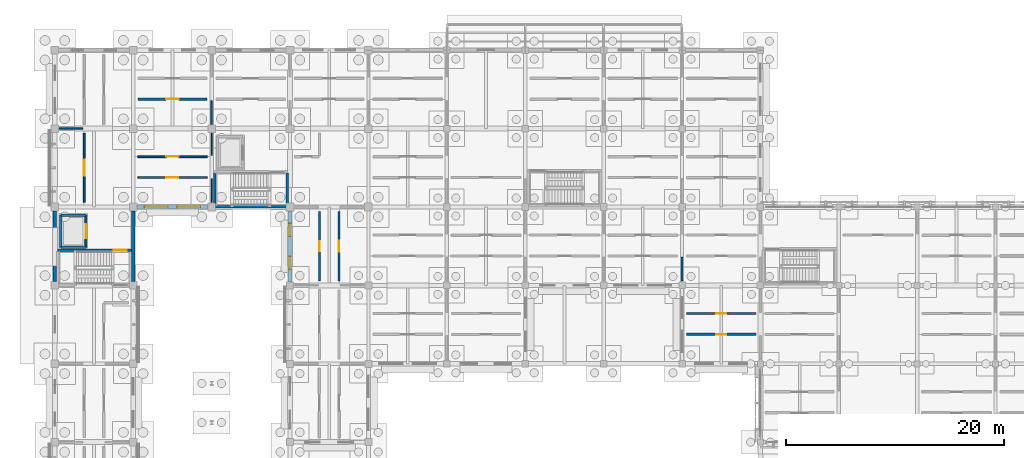
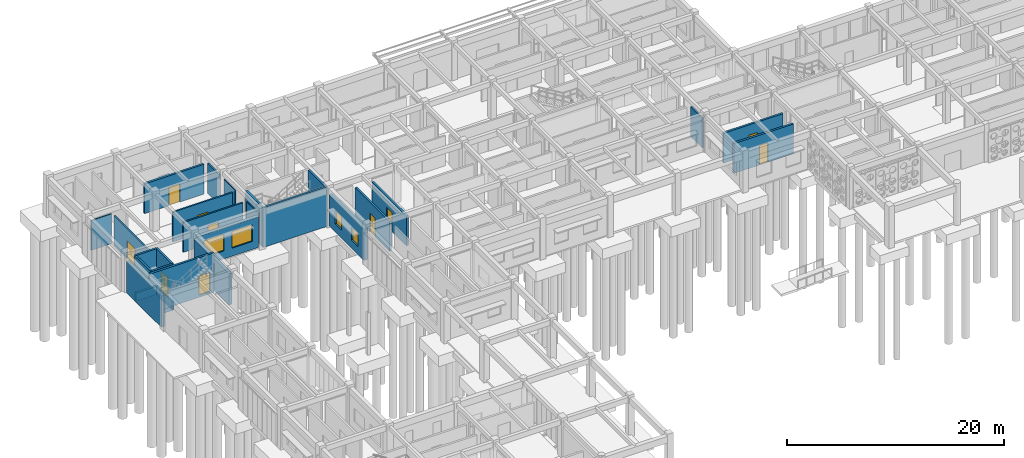
# One storey, part 68 of 111: 29 walls, 10 doors, 4 windows, 14 openings.
"""IFC4 building model written with IfcOpenShell, lengths in metres."""

from ifc_helpers import new_model, si_unit, direction, frame, frame_2d, origin, place, context, subcontext, project, spatial, rectangle, extrude, material, layer, layer_set, type_object, element, fill, save


model = new_model("IFC4")

# Units and contexts
model_context = context("Model", 3, precision=1e-05, world=origin(), true_north=direction((0.0, 1.0)))
body_context = subcontext(model_context, "Body", "Model", "MODEL_VIEW")
ifc_project = project(units=[si_unit("LENGTHUNIT", "METRE"), si_unit("AREAUNIT", "SQUARE_METRE"), si_unit("VOLUMEUNIT", "CUBIC_METRE"), si_unit("PLANEANGLEUNIT", "RADIAN"), si_unit("MASSUNIT", "GRAM", prefix="KILO")], contexts=[model_context])

# Site, building, storey
site_placement = place(None, origin())
site = spatial("IfcSite", under=ifc_project, at=site_placement, CompositionType="ELEMENT")
building_placement = place(site_placement, origin())
building = spatial("IfcBuilding", under=site, at=building_placement, Name="Aldebral Square Health Centre", CompositionType="ELEMENT")
storey_placement = place(building_placement, origin())
storey = spatial("IfcBuildingStorey", under=building, at=storey_placement, Name="L00", CompositionType="ELEMENT", Elevation=0.0)

# Walls
ifc_material_1 = material(Name="Cream cantera stone and concrete wall C35/45", Category="masonry")
ifc_layer_1 = layer(ifc_material_1, 0.340087890625, Name="Cream cantera stone and concrete wall C35/45", Category="masonry")
ifc_layer_set_1 = layer_set([ifc_layer_1], Name="Cream cantera stone and concrete wall C35/45")
wall_type_1 = type_object("IfcWallType", Name="EW-CAN-340", PredefinedType="SOLIDWALL", material=ifc_layer_set_1)
for number, where, z_axis, x_axis, name in (
    (1, (0.0, 100.449951171875, 0.0), (0.0, 0.0, 1.0), (0.0, -1.0, 0.0), "L00 V4 exterior wall L00-V4-00-13-W"),
    (2, (7.199951171875, 93.949951171875, 0.0), (0.0, 0.0, 1.0), (0.0, 1.0, 0.0), "L00 V4 exterior wall L00-V4-00-13-E"),
):
    element("IfcWall", number, at=place(storey_placement, frame(where, z_axis=z_axis, x_axis=x_axis)), inside=storey, type_object=wall_type_1, Name=name, PredefinedType="SOLIDWALL", context=body_context, shape_type="SweptSolid", body=[
        extrude(rectangle(XDim=6.5, YDim=0.340087890625, at=frame_2d((3.25, 0.0))), origin(), (0.0, 0.0, 1.0), 3.52001953125),
    ])

# Wall, openings, windows
wall_1_placement = place(storey_placement, frame((7.550048828125, 100.800048828125, 0.0), z_axis=(0.0, 0.0, 1.0), x_axis=(1.0, 0.0, 0.0)))
wall_1 = element("IfcWall", 3, at=wall_1_placement, inside=storey, type_object=wall_type_1, Name="L00 V4 exterior wall L00-V4-01-14-S", PredefinedType="SOLIDWALL", context=body_context, shape_type="SweptSolid", body=[
    extrude(rectangle(XDim=6.5, YDim=0.340087890625, at=frame_2d((3.25, 0.0))), origin(), (0.0, 0.0, 1.0), 3.469970703125),
])
opening_1_placement = place(wall_1_placement, frame((0.675048828125, 0.0, 0.89990234375)))
opening_1 = element("IfcOpeningElement", 4, at=opening_1_placement, cuts=wall_1, Name="Opening W54", PredefinedType="OPENING", context=body_context, shape_type="SweptSolid", body=[
    extrude(rectangle(XDim=2.14990234375, YDim=1.8798828125, at=frame_2d((1.074951171875, 0.93994140625))), frame((0.0, 0.18017578125, 0.0), z_axis=(0.0, -1.0, 0.0), x_axis=(1.0, 0.0, 0.0)), (0.0, 0.0, 1.0), 0.360107421875),
])
opening_2_placement = place(wall_1_placement, frame((3.675048828125, 0.0, 0.89990234375)))
opening_2 = element("IfcOpeningElement", 5, at=opening_2_placement, cuts=wall_1, Name="Opening W54", PredefinedType="OPENING", context=body_context, shape_type="SweptSolid", body=[
    extrude(rectangle(XDim=2.14990234375, YDim=1.8798828125, at=frame_2d((1.074951171875, 0.93994140625))), frame((0.0, 0.18017578125, 0.0), z_axis=(0.0, -1.0, 0.0), x_axis=(1.0, 0.0, 0.0)), (0.0, 0.0, 1.0), 0.360107421875),
])
ifc_material_2 = material(Name="Thermally broken aluminium and low-E glass", Category="aluminium")
window_type_1 = type_object("IfcWindowType", Name="WIN-W54", PartitioningType="SINGLE_PANEL", PredefinedType="WINDOW", material=ifc_material_2)
window_1_placement = place(opening_1_placement, origin())
window_1 = element("IfcWindow", 6, at=window_1_placement, inside=storey, type_object=window_type_1, Name="L00 clinical window L00-V4-01-14-S.1", OverallHeight=1.8798828125, OverallWidth=2.14990234375, PartitioningType="SINGLE_PANEL", PredefinedType="WINDOW", context=body_context, shape_type="SweptSolid", body=[
    extrude(rectangle(XDim=2.14990234375, YDim=1.8798828125, at=frame_2d((1.074951171875, 0.93994140625))), frame((0.0, 0.030029296875, 0.0), z_axis=(0.0, -1.0, 0.0), x_axis=(1.0, 0.0, 0.0)), (0.0, 0.0, 1.0), 0.06005859375),
])
fill(opening_1, window_1)
window_2_placement = place(opening_2_placement, origin())
window_2 = element("IfcWindow", 7, at=window_2_placement, inside=storey, type_object=window_type_1, Name="L00 clinical window L00-V4-01-14-S.2", OverallHeight=1.8798828125, OverallWidth=2.14990234375, PartitioningType="SINGLE_PANEL", PredefinedType="WINDOW", context=body_context, shape_type="SweptSolid", body=[
    extrude(rectangle(XDim=2.14990234375, YDim=1.8798828125, at=frame_2d((1.074951171875, 0.93994140625))), frame((0.0, 0.030029296875, 0.0), z_axis=(0.0, -1.0, 0.0), x_axis=(1.0, 0.0, 0.0)), (0.0, 0.0, 1.0), 0.06005859375),
])
fill(opening_2, window_2)

ifc_layer_2 = layer(ifc_material_1, 0.360107421875, Name="Cream cantera stone and concrete wall C35/45", Category="masonry")
ifc_layer_set_2 = layer_set([ifc_layer_2], Name="Cream cantera stone and concrete wall C35/45")
wall_type_2 = type_object("IfcWallType", Name="EW-CAN-360", PredefinedType="SOLIDWALL", material=ifc_layer_set_2)
wall_2_placement = place(storey_placement, frame((21.60009765625, 100.449951171875, 0.0), z_axis=(0.0, 0.0, 1.0), x_axis=(0.0, -1.0, 0.0)))
wall_2 = element("IfcWall", 8, at=wall_2_placement, inside=storey, type_object=wall_type_2, Name="L00 V4 exterior wall L00-V4-03-13-W", PredefinedType="SOLIDWALL", context=body_context, shape_type="SweptSolid", body=[
    extrude(rectangle(XDim=6.52490234375, YDim=0.360107421875, at=frame_2d((3.262451171875, 0.0))), origin(), (0.0, 0.0, 1.0), 3.52001953125),
])
opening_3_placement = place(wall_2_placement, frame((1.14990234375, 0.0, 0.89990234375)))
opening_3 = element("IfcOpeningElement", 9, at=opening_3_placement, cuts=wall_2, Name="Opening W21", PredefinedType="OPENING", context=body_context, shape_type="SweptSolid", body=[
    extrude(rectangle(XDim=1.199951171875, YDim=1.5, at=frame_2d((0.60009765625, 0.75))), frame((0.0, 0.18994140625, 0.0), z_axis=(0.0, -1.0, 0.0), x_axis=(1.0, 0.0, 0.0)), (0.0, 0.0, 1.0), 0.380126953125),
])
opening_4_placement = place(wall_2_placement, frame((4.175048828125, 0.0, 0.89990234375)))
opening_4 = element("IfcOpeningElement", 10, at=opening_4_placement, cuts=wall_2, Name="Opening W21", PredefinedType="OPENING", context=body_context, shape_type="SweptSolid", body=[
    extrude(rectangle(XDim=1.199951171875, YDim=1.5, at=frame_2d((0.60009765625, 0.75))), frame((0.0, 0.18994140625, 0.0), z_axis=(0.0, -1.0, 0.0), x_axis=(1.0, 0.0, 0.0)), (0.0, 0.0, 1.0), 0.380126953125),
])
window_type_2 = type_object("IfcWindowType", Name="WIN-W21", PartitioningType="SINGLE_PANEL", PredefinedType="WINDOW", material=ifc_material_2)
window_3_placement = place(opening_3_placement, origin())
window_3 = element("IfcWindow", 11, at=window_3_placement, inside=storey, type_object=window_type_2, Name="L00 clinical window L00-V4-03-13-W.1", OverallHeight=1.5, OverallWidth=1.199951171875, PartitioningType="SINGLE_PANEL", PredefinedType="WINDOW", context=body_context, shape_type="SweptSolid", body=[
    extrude(rectangle(XDim=1.199951171875, YDim=1.5, at=frame_2d((0.60009765625, 0.75))), frame((0.0, 0.030029296875, 0.0), z_axis=(0.0, -1.0, 0.0), x_axis=(1.0, 0.0, 0.0)), (0.0, 0.0, 1.0), 0.06005859375),
])
fill(opening_3, window_3)
window_4_placement = place(opening_4_placement, origin())
window_4 = element("IfcWindow", 12, at=window_4_placement, inside=storey, type_object=window_type_2, Name="L00 clinical window L00-V4-03-13-W.2", OverallHeight=1.5, OverallWidth=1.199951171875, PartitioningType="SINGLE_PANEL", PredefinedType="WINDOW", context=body_context, shape_type="SweptSolid", body=[
    extrude(rectangle(XDim=1.199951171875, YDim=1.5, at=frame_2d((0.60009765625, 0.75))), frame((0.0, 0.030029296875, 0.0), z_axis=(0.0, -1.0, 0.0), x_axis=(1.0, 0.0, 0.0)), (0.0, 0.0, 1.0), 0.06005859375),
])
fill(opening_4, window_4)

# Wall, opening, door
ifc_material_3 = material(Name="Concrete C35/45 compartment wall", Category="concrete")
ifc_layer_3 = layer(ifc_material_3, 0.219970703125, Name="Concrete C35/45 compartment wall", Category="concrete")
ifc_layer_set_3 = layer_set([ifc_layer_3], Name="Concrete C35/45 compartment wall")
wall_type_3 = type_object("IfcWallType", Name="IW-CMP-220", PredefinedType="SOLIDWALL", material=ifc_layer_set_3)
wall_3_placement = place(storey_placement, frame((58.02001953125, 89.10009765625, 0.0), z_axis=(0.0, 0.0, 1.0), x_axis=(1.0, 0.0, 0.0)))
wall_3 = element("IfcWall", 13, at=wall_3_placement, inside=storey, type_object=wall_type_3, Name="L00 Medical Gas Manifold 9.13S corridor wall", PredefinedType="SOLIDWALL", context=body_context, shape_type="SweptSolid", body=[
    extrude(rectangle(XDim=6.35986328125, YDim=0.219970703125, at=frame_2d((3.179931640625, 0.0))), origin(), (0.0, 0.0, 1.0), 3.360107421875),
])
opening_5_placement = place(wall_3_placement, frame((2.72998046875, 0.0, 0.0)))
opening_5 = element("IfcOpeningElement", 14, at=opening_5_placement, cuts=wall_3, Name="Opening D-FD60-53", PredefinedType="OPENING", context=body_context, shape_type="SweptSolid", body=[
    extrude(rectangle(XDim=0.89990234375, YDim=2.18994140625, at=frame_2d((0.449951171875, 1.094970703125))), frame((0.0, 0.1201171875, 0.0), z_axis=(0.0, -1.0, 0.0), x_axis=(1.0, 0.0, 0.0)), (0.0, 0.0, 1.0), 0.239990234375),
])
ifc_material_4 = material(Name="Clinical suite fire door")
door_type_1 = type_object("IfcDoorType", Name="ID-EXD-48", OperationType="NOTDEFINED", PredefinedType="DOOR", material=ifc_material_4)
door_1_placement = place(opening_5_placement, origin())
door_1 = element("IfcDoor", 15, at=door_1_placement, inside=storey, type_object=door_type_1, Name="L00 Medical Gas Manifold 9.13S door", OperationType="SINGLE_SWING_RIGHT", OverallHeight=2.18994140625, OverallWidth=0.89990234375, PredefinedType="DOOR", context=body_context, shape_type="SweptSolid", body=[
    extrude(rectangle(XDim=0.89990234375, YDim=2.18994140625, at=frame_2d((0.449951171875, 1.094970703125))), frame((0.0, 0.02490234375, 0.0), z_axis=(0.0, -1.0, 0.0), x_axis=(1.0, 0.0, 0.0)), (0.0, 0.0, 1.0), 0.050048828125),
])
fill(opening_5, door_1)

wall_4_placement = place(storey_placement, frame((58.02001953125, 91.02001953125, 0.0), z_axis=(0.0, 0.0, 1.0), x_axis=(1.0, 0.0, 0.0)))
wall_4 = element("IfcWall", 16, at=wall_4_placement, inside=storey, type_object=wall_type_3, Name="L00 Electrical Switchroom 9.13N corridor wall", PredefinedType="SOLIDWALL", context=body_context, shape_type="SweptSolid", body=[
    extrude(rectangle(XDim=6.35986328125, YDim=0.219970703125, at=frame_2d((3.179931640625, 0.0))), origin(), (0.0, 0.0, 1.0), 3.360107421875),
])
opening_6_placement = place(wall_4_placement, frame((2.7099609375, 0.0, 0.0)))
opening_6 = element("IfcOpeningElement", 17, at=opening_6_placement, cuts=wall_4, Name="Opening D-FD60-54", PredefinedType="OPENING", context=body_context, shape_type="SweptSolid", body=[
    extrude(rectangle(XDim=0.93994140625, YDim=2.18994140625, at=frame_2d((0.469970703125, 1.094970703125))), frame((0.0, 0.1201171875, 0.0), z_axis=(0.0, -1.0, 0.0), x_axis=(1.0, 0.0, 0.0)), (0.0, 0.0, 1.0), 0.239990234375),
])
door_type_2 = type_object("IfcDoorType", Name="ID-EXD-49", OperationType="NOTDEFINED", PredefinedType="DOOR", material=ifc_material_4)
door_2_placement = place(opening_6_placement, origin())
door_2 = element("IfcDoor", 18, at=door_2_placement, inside=storey, type_object=door_type_2, Name="L00 Electrical Switchroom 9.13N door", OperationType="SINGLE_SWING_LEFT", OverallHeight=2.18994140625, OverallWidth=0.93994140625, PredefinedType="DOOR", context=body_context, shape_type="SweptSolid", body=[
    extrude(rectangle(XDim=0.93994140625, YDim=2.18994140625, at=frame_2d((0.469970703125, 1.094970703125))), frame((0.0, 0.02490234375, 0.0), z_axis=(0.0, -1.0, 0.0), x_axis=(1.0, 0.0, 0.0)), (0.0, 0.0, 1.0), 0.050048828125),
])
fill(opening_6, door_2)

wall_5_placement = place(storey_placement, frame((7.6201171875, 110.699951171875, 0.0), z_axis=(0.0, 0.0, 1.0), x_axis=(1.0, 0.0, 0.0)))
wall_5 = element("IfcWall", 19, at=wall_5_placement, inside=storey, type_object=wall_type_3, Name="L00 Triage Nurse Station 2.16S corridor wall", PredefinedType="SOLIDWALL", context=body_context, shape_type="SweptSolid", body=[
    extrude(rectangle(XDim=6.35986328125, YDim=0.219970703125, at=frame_2d((3.179931640625, 0.0))), origin(), (0.0, 0.0, 1.0), 3.360107421875),
])
opening_7_placement = place(wall_5_placement, frame((2.590087890625, 0.0, 0.0)))
opening_7 = element("IfcOpeningElement", 20, at=opening_7_placement, cuts=wall_5, Name="Opening D-0107", PredefinedType="OPENING", context=body_context, shape_type="SweptSolid", body=[
    extrude(rectangle(XDim=1.179931640625, YDim=2.090087890625, at=frame_2d((0.58984375, 1.044921875))), frame((0.0, 0.1201171875, 0.0), z_axis=(0.0, -1.0, 0.0), x_axis=(1.0, 0.0, 0.0)), (0.0, 0.0, 1.0), 0.239990234375),
])
door_type_3 = type_object("IfcDoorType", Name="ID-EXD-23", OperationType="NOTDEFINED", PredefinedType="DOOR", material=ifc_material_4)
door_3_placement = place(opening_7_placement, origin())
door_3 = element("IfcDoor", 21, at=door_3_placement, inside=storey, type_object=door_type_3, Name="L00 Triage Nurse Station 2.16S door", OperationType="SINGLE_SWING_RIGHT", OverallHeight=2.090087890625, OverallWidth=1.179931640625, PredefinedType="DOOR", context=body_context, shape_type="SweptSolid", body=[
    extrude(rectangle(XDim=1.179931640625, YDim=2.090087890625, at=frame_2d((0.58984375, 1.044921875))), frame((0.0, 0.02490234375, 0.0), z_axis=(0.0, -1.0, 0.0), x_axis=(1.0, 0.0, 0.0)), (0.0, 0.0, 1.0), 0.050048828125),
])
fill(opening_7, door_3)

wall_6_placement = place(storey_placement, frame((26.10009765625, 94.02001953125, 0.0), z_axis=(0.0, 0.0, 1.0), x_axis=(0.0, 1.0, 0.0)))
wall_6 = element("IfcWall", 22, at=wall_6_placement, inside=storey, type_object=wall_type_3, Name="L00 General Consulting Room 4.14E corridor wall", PredefinedType="SOLIDWALL", context=body_context, shape_type="SweptSolid", body=[
    extrude(rectangle(XDim=6.35986328125, YDim=0.219970703125, at=frame_2d((3.179931640625, 0.0))), origin(), (0.0, 0.0, 1.0), 3.360107421875),
])
opening_8_placement = place(wall_6_placement, frame((2.68994140625, 0.0, 0.0)))
opening_8 = element("IfcOpeningElement", 23, at=opening_8_placement, cuts=wall_6, Name="Opening D-0118", PredefinedType="OPENING", context=body_context, shape_type="SweptSolid", body=[
    extrude(rectangle(XDim=0.97998046875, YDim=2.139892578125, at=frame_2d((0.489990234375, 1.06982421875))), frame((0.0, 0.1201171875, 0.0), z_axis=(0.0, -1.0, 0.0), x_axis=(1.0, 0.0, 0.0)), (0.0, 0.0, 1.0), 0.239990234375),
])
door_type_4 = type_object("IfcDoorType", Name="ID-EXD-34", OperationType="NOTDEFINED", PredefinedType="DOOR", material=ifc_material_4)
door_4_placement = place(opening_8_placement, origin())
door_4 = element("IfcDoor", 24, at=door_4_placement, inside=storey, type_object=door_type_4, Name="L00 General Consulting Room 4.14E door", OperationType="SINGLE_SWING_LEFT", OverallHeight=2.139892578125, OverallWidth=0.97998046875, PredefinedType="DOOR", context=body_context, shape_type="SweptSolid", body=[
    extrude(rectangle(XDim=0.97998046875, YDim=2.139892578125, at=frame_2d((0.489990234375, 1.06982421875))), frame((0.0, 0.02490234375, 0.0), z_axis=(0.0, -1.0, 0.0), x_axis=(1.0, 0.0, 0.0)), (0.0, 0.0, 1.0), 0.050048828125),
])
fill(opening_8, door_4)

ifc_material_5 = material(Name="Fire-rated acoustic gypsum partition")
ifc_layer_4 = layer(ifc_material_5, 0.1650390625, Name="Fire-rated acoustic gypsum partition")
ifc_layer_set_4 = layer_set([ifc_layer_4], Name="Fire-rated acoustic gypsum partition")
wall_type_4 = type_object("IfcWallType", Name="IW-COR-165", PredefinedType="PARTITIONING", material=ifc_layer_set_4)
wall_7_placement = place(storey_placement, frame((7.6201171875, 103.5, 0.0), z_axis=(0.0, 0.0, 1.0), x_axis=(1.0, 0.0, 0.0)))
wall_7 = element("IfcWall", 25, at=wall_7_placement, inside=storey, type_object=wall_type_4, Name="L00 Family Practice Clinic 2.15S corridor wall", PredefinedType="PARTITIONING", context=body_context, shape_type="SweptSolid", body=[
    extrude(rectangle(XDim=6.35986328125, YDim=0.1650390625, at=frame_2d((3.179931640625, 0.0))), origin(), (0.0, 0.0, 1.0), 3.360107421875),
])
opening_9_placement = place(wall_7_placement, frame((2.6298828125, 0.0, 0.0)))
opening_9 = element("IfcOpeningElement", 26, at=opening_9_placement, cuts=wall_7, Name="Opening D-0105", PredefinedType="OPENING", context=body_context, shape_type="SweptSolid", body=[
    extrude(rectangle(XDim=1.10009765625, YDim=2.090087890625, at=frame_2d((0.550048828125, 1.044921875))), frame((0.0, 0.092529296875, 0.0), z_axis=(0.0, -1.0, 0.0), x_axis=(1.0, 0.0, 0.0)), (0.0, 0.0, 1.0), 0.18505859375),
])
door_type_5 = type_object("IfcDoorType", Name="ID-EXD-21", OperationType="NOTDEFINED", PredefinedType="DOOR", material=ifc_material_4)
door_5_placement = place(opening_9_placement, origin())
door_5 = element("IfcDoor", 27, at=door_5_placement, inside=storey, type_object=door_type_5, Name="L00 Family Practice Clinic 2.15S door", OperationType="SINGLE_SWING_RIGHT", OverallHeight=2.090087890625, OverallWidth=1.10009765625, PredefinedType="DOOR", context=body_context, shape_type="SweptSolid", body=[
    extrude(rectangle(XDim=1.10009765625, YDim=2.090087890625, at=frame_2d((0.550048828125, 1.044921875))), frame((0.0, 0.02490234375, 0.0), z_axis=(0.0, -1.0, 0.0), x_axis=(1.0, 0.0, 0.0)), (0.0, 0.0, 1.0), 0.050048828125),
])
fill(opening_9, door_5)

wall_8_placement = place(storey_placement, frame((7.6201171875, 105.419921875, 0.0), z_axis=(0.0, 0.0, 1.0), x_axis=(1.0, 0.0, 0.0)))
wall_8 = element("IfcWall", 28, at=wall_8_placement, inside=storey, type_object=wall_type_4, Name="L00 Vaccination Room 2.15N corridor wall", PredefinedType="PARTITIONING", context=body_context, shape_type="SweptSolid", body=[
    extrude(rectangle(XDim=6.35986328125, YDim=0.1650390625, at=frame_2d((3.179931640625, 0.0))), origin(), (0.0, 0.0, 1.0), 3.360107421875),
])
opening_10_placement = place(wall_8_placement, frame((2.610107421875, 0.0, 0.0)))
opening_10 = element("IfcOpeningElement", 29, at=opening_10_placement, cuts=wall_8, Name="Opening D-0106", PredefinedType="OPENING", context=body_context, shape_type="SweptSolid", body=[
    extrude(rectangle(XDim=1.139892578125, YDim=2.090087890625, at=frame_2d((0.56982421875, 1.044921875))), frame((0.0, 0.092529296875, 0.0), z_axis=(0.0, -1.0, 0.0), x_axis=(1.0, 0.0, 0.0)), (0.0, 0.0, 1.0), 0.18505859375),
])
door_type_6 = type_object("IfcDoorType", Name="ID-EXD-22", OperationType="NOTDEFINED", PredefinedType="DOOR", material=ifc_material_4)
door_6_placement = place(opening_10_placement, origin())
door_6 = element("IfcDoor", 30, at=door_6_placement, inside=storey, type_object=door_type_6, Name="L00 Vaccination Room 2.15N door", OperationType="SINGLE_SWING_LEFT", OverallHeight=2.090087890625, OverallWidth=1.139892578125, PredefinedType="DOOR", context=body_context, shape_type="SweptSolid", body=[
    extrude(rectangle(XDim=1.139892578125, YDim=2.090087890625, at=frame_2d((0.56982421875, 1.044921875))), frame((0.0, 0.02490234375, 0.0), z_axis=(0.0, -1.0, 0.0), x_axis=(1.0, 0.0, 0.0)), (0.0, 0.0, 1.0), 0.050048828125),
])
fill(opening_10, door_6)

ifc_layer_5 = layer(ifc_material_5, 0.179931640625, Name="Fire-rated acoustic gypsum partition")
ifc_layer_set_5 = layer_set([ifc_layer_5], Name="Fire-rated acoustic gypsum partition")
wall_type_5 = type_object("IfcWallType", Name="IW-COR-180", PredefinedType="PARTITIONING", material=ifc_layer_set_5)
wall_9_placement = place(storey_placement, frame((2.699951171875, 101.219970703125, 0.0), z_axis=(0.0, 0.0, 1.0), x_axis=(0.0, 1.0, 0.0)))
wall_9 = element("IfcWall", 31, at=wall_9_placement, inside=storey, type_object=wall_type_5, Name="L00 Family Practice Clinic 1.15W corridor wall", PredefinedType="PARTITIONING", context=body_context, shape_type="SweptSolid", body=[
    extrude(rectangle(XDim=6.360107421875, YDim=0.179931640625, at=frame_2d((3.18017578125, 0.0))), origin(), (0.0, 0.0, 1.0), 3.360107421875),
])
opening_11_placement = place(wall_9_placement, frame((2.449951171875, 0.0, 0.0)))
opening_11 = element("IfcOpeningElement", 32, at=opening_11_placement, cuts=wall_9, Name="Opening D-0098", PredefinedType="OPENING", context=body_context, shape_type="SweptSolid", body=[
    extrude(rectangle(XDim=1.4599609375, YDim=2.0400390625, at=frame_2d((0.72998046875, 1.02001953125))), frame((0.0, 0.10009765625, 0.0), z_axis=(0.0, -1.0, 0.0), x_axis=(1.0, 0.0, 0.0)), (0.0, 0.0, 1.0), 0.199951171875),
])
door_type_7 = type_object("IfcDoorType", Name="ID-EXD-14", OperationType="NOTDEFINED", PredefinedType="DOOR", material=ifc_material_4)
door_7_placement = place(opening_11_placement, origin())
door_7 = element("IfcDoor", 33, at=door_7_placement, inside=storey, type_object=door_type_7, Name="L00 Family Practice Clinic 1.15W door", OperationType="SINGLE_SWING_LEFT", OverallHeight=2.0400390625, OverallWidth=1.4599609375, PredefinedType="DOOR", context=body_context, shape_type="SweptSolid", body=[
    extrude(rectangle(XDim=1.4599609375, YDim=2.0400390625, at=frame_2d((0.72998046875, 1.02001953125))), frame((0.0, 0.02490234375, 0.0), z_axis=(0.0, -1.0, 0.0), x_axis=(1.0, 0.0, 0.0)), (0.0, 0.0, 1.0), 0.050048828125),
])
fill(opening_11, door_7)

ifc_material_6 = material(Name="Concrete C40/50", Category="concrete")
ifc_layer_6 = layer(ifc_material_6, 0.219970703125, Name="Concrete C40/50", Category="concrete")
ifc_layer_set_6 = layer_set([ifc_layer_6], Name="Concrete C40/50")
wall_type_6 = type_object("IfcWallType", Name="IW-CORE-280", PredefinedType="SHEAR", material=ifc_layer_set_6)
wall_10_placement = place(storey_placement, frame((0.159912109375, 96.830078125, -0.25), z_axis=(0.0, 0.0, 1.0), x_axis=(1.0, 0.0, 0.0)))
wall_10 = element("IfcWall", 34, at=wall_10_placement, inside=storey, type_object=wall_type_6, Name="L00 WC-C1 shaft wall N", PredefinedType="SHEAR", context=body_context, shape_type="SweptSolid", body=[
    extrude(rectangle(XDim=6.880126953125, YDim=0.219970703125, at=frame_2d((3.43994140625, 0.0))), origin(), (0.0, 0.0, 1.0), 4.469970703125),
])
opening_12_placement = place(wall_10_placement, frame((5.25, 0.0, 0.25)))
opening_12 = element("IfcOpeningElement", 35, at=opening_12_placement, cuts=wall_10, Name="Opening D-FD90-2", PredefinedType="OPENING", context=body_context, shape_type="SweptSolid", body=[
    extrude(rectangle(XDim=1.199951171875, YDim=2.14990234375, at=frame_2d((0.60009765625, 1.074951171875))), frame((0.0, 0.1201171875, 0.0), z_axis=(0.0, -1.0, 0.0), x_axis=(1.0, 0.0, 0.0)), (0.0, 0.0, 1.0), 0.239990234375),
])
ifc_material_7 = material(Name="Fire-rated steel stair door", Category="steel")
door_type_8 = type_object("IfcDoorType", Name="ID-ST-120", OperationType="NOTDEFINED", PredefinedType="DOOR", material=ifc_material_7)
door_8_placement = place(opening_12_placement, origin())
door_8 = element("IfcDoor", 36, at=door_8_placement, inside=storey, type_object=door_type_8, Name="L00 ST-01 fire door", OperationType="SINGLE_SWING_RIGHT", OverallHeight=2.14990234375, OverallWidth=1.199951171875, PredefinedType="DOOR", context=body_context, shape_type="SweptSolid", body=[
    extrude(rectangle(XDim=1.199951171875, YDim=2.14990234375, at=frame_2d((0.60009765625, 1.074951171875))), frame((0.0, 0.02490234375, 0.0), z_axis=(0.0, -1.0, 0.0), x_axis=(1.0, 0.0, 0.0)), (0.0, 0.0, 1.0), 0.050048828125),
])
fill(opening_12, door_8)

# Walls
wall_11_placement = place(storey_placement, frame((14.56005859375, 100.81005859375, -0.25), z_axis=(0.0, 0.0, 1.0), x_axis=(1.0, 0.0, 0.0)))
element("IfcWall", 37, at=wall_11_placement, inside=storey, type_object=wall_type_6, Name="L00 WC-C2 shaft wall S", PredefinedType="SHEAR", context=body_context, shape_type="SweptSolid", body=[
    extrude(rectangle(XDim=6.8798828125, YDim=0.219970703125, at=frame_2d((3.43994140625, 0.0))), origin(), (0.0, 0.0, 1.0), 4.469970703125),
])
for number, where, z_axis, x_axis, name in (
    (38, (14.669921875, 100.919921875, -0.25), (0.0, 0.0, 1.0), (0.0, 1.0, 0.0), "L00 WC-C2 shaft wall W"),
    (39, (21.330078125, 100.919921875, -0.25), (0.0, 0.0, 1.0), (0.0, 1.0, 0.0), "L00 WC-C2 shaft wall E"),
):
    element("IfcWall", number, at=place(storey_placement, frame(where, z_axis=z_axis, x_axis=x_axis)), inside=storey, type_object=wall_type_6, Name=name, PredefinedType="SHEAR", context=body_context, shape_type="SweptSolid", body=[
        extrude(rectangle(XDim=3.0, YDim=0.219970703125, at=frame_2d((1.5, 0.0))), origin(), (0.0, 0.0, 1.0), 4.469970703125),
    ])
ifc_layer_7 = layer(ifc_material_6, 0.219970703125, Name="Concrete C40/50", Category="concrete")
ifc_layer_set_7 = layer_set([ifc_layer_7], Name="Concrete C40/50")
wall_type_7 = type_object("IfcWallType", Name="IW-LFT-220", PredefinedType="SHEAR", material=ifc_layer_set_7)
wall_12_placement = place(storey_placement, frame((0.550048828125, 97.10009765625, -0.949951171875), z_axis=(0.0, 0.0, 1.0), x_axis=(1.0, 0.0, 0.0)))
element("IfcWall", 40, at=wall_12_placement, inside=storey, type_object=wall_type_7, Name="LF-01 pit wall 1", PredefinedType="SHEAR", context=body_context, shape_type="SweptSolid", body=[
    extrude(rectangle(XDim=2.300048828125, YDim=0.219970703125, at=frame_2d((1.14990234375, 0.0))), origin(), (0.0, 0.0, 1.0), 0.949951171875),
])
wall_13_placement = place(storey_placement, frame((2.85009765625, 97.10009765625, -0.949951171875), z_axis=(0.0, 0.0, 1.0), x_axis=(0.0, 1.0, 0.0)))
element("IfcWall", 41, at=wall_13_placement, inside=storey, type_object=wall_type_7, Name="LF-01 pit wall 2", PredefinedType="SHEAR", context=body_context, shape_type="SweptSolid", body=[
    extrude(rectangle(XDim=2.949951171875, YDim=0.219970703125, at=frame_2d((1.47509765625, 0.0))), origin(), (0.0, 0.0, 1.0), 0.949951171875),
])
wall_14_placement = place(storey_placement, frame((2.85009765625, 100.050048828125, -0.949951171875), z_axis=(0.0, 0.0, 1.0), x_axis=(-1.0, 0.0, 0.0)))
element("IfcWall", 42, at=wall_14_placement, inside=storey, type_object=wall_type_7, Name="LF-01 pit wall 3", PredefinedType="SHEAR", context=body_context, shape_type="SweptSolid", body=[
    extrude(rectangle(XDim=2.300048828125, YDim=0.219970703125, at=frame_2d((1.14990234375, 0.0))), origin(), (0.0, 0.0, 1.0), 0.949951171875),
])
wall_15_placement = place(storey_placement, frame((0.550048828125, 100.050048828125, -0.949951171875), z_axis=(0.0, 0.0, 1.0), x_axis=(0.0, -1.0, 0.0)))
element("IfcWall", 43, at=wall_15_placement, inside=storey, type_object=wall_type_7, Name="LF-01 pit wall 4", PredefinedType="SHEAR", context=body_context, shape_type="SweptSolid", body=[
    extrude(rectangle(XDim=2.949951171875, YDim=0.219970703125, at=frame_2d((1.47509765625, 0.0))), origin(), (0.0, 0.0, 1.0), 0.949951171875),
])
ifc_layer_8 = layer(ifc_material_6, 0.199951171875, Name="Concrete C40/50", Category="concrete")
ifc_layer_set_8 = layer_set([ifc_layer_8], Name="Concrete C40/50")
wall_type_8 = type_object("IfcWallType", Name="IW-LFT-250", PredefinedType="SHEAR", material=ifc_layer_set_8)
wall_16_placement = place(storey_placement, frame((0.550048828125, 97.10009765625, 0.0), z_axis=(0.0, 0.0, 1.0), x_axis=(1.0, 0.0, 0.0)))
element("IfcWall", 44, at=wall_16_placement, inside=storey, type_object=wall_type_8, Name="L00 LF-01 shaft wall S", PredefinedType="SHEAR", context=body_context, shape_type="SweptSolid", body=[
    extrude(rectangle(XDim=2.300048828125, YDim=0.199951171875, at=frame_2d((1.14990234375, 0.0))), origin(), (0.0, 0.0, 1.0), 4.219970703125),
])
wall_17_placement = place(storey_placement, frame((0.550048828125, 97.10009765625, 0.0), z_axis=(0.0, 0.0, 1.0), x_axis=(0.0, 1.0, 0.0)))
element("IfcWall", 45, at=wall_17_placement, inside=storey, type_object=wall_type_8, Name="L00 LF-01 shaft wall W", PredefinedType="SHEAR", context=body_context, shape_type="SweptSolid", body=[
    extrude(rectangle(XDim=2.949951171875, YDim=0.199951171875, at=frame_2d((1.47509765625, 0.0))), origin(), (0.0, 0.0, 1.0), 4.219970703125),
])
wall_18_placement = place(storey_placement, frame((0.550048828125, 100.050048828125, 0.0), z_axis=(0.0, 0.0, 1.0), x_axis=(1.0, 0.0, 0.0)))
element("IfcWall", 46, at=wall_18_placement, inside=storey, type_object=wall_type_8, Name="L00 LF-01 shaft wall N", PredefinedType="SHEAR", context=body_context, shape_type="SweptSolid", body=[
    extrude(rectangle(XDim=2.300048828125, YDim=0.199951171875, at=frame_2d((1.14990234375, 0.0))), origin(), (0.0, 0.0, 1.0), 4.219970703125),
])

# Wall, opening, door
wall_19_placement = place(storey_placement, frame((2.85009765625, 97.10009765625, 0.0), z_axis=(0.0, 0.0, 1.0), x_axis=(0.0, 1.0, 0.0)))
wall_19 = element("IfcWall", 47, at=wall_19_placement, inside=storey, type_object=wall_type_8, Name="L00 LF-01 landing wall", PredefinedType="SHEAR", context=body_context, shape_type="SweptSolid", body=[
    extrude(rectangle(XDim=2.949951171875, YDim=0.199951171875, at=frame_2d((1.47509765625, 0.0))), origin(), (0.0, 0.0, 1.0), 4.219970703125),
])
opening_13_placement = place(wall_19_placement, frame((0.824951171875, 0.0, 0.0)))
opening_13 = element("IfcOpeningElement", 48, at=opening_13_placement, cuts=wall_19, Name="Opening LD-1", PredefinedType="OPENING", context=body_context, shape_type="SweptSolid", body=[
    extrude(rectangle(XDim=1.300048828125, YDim=2.14990234375, at=frame_2d((0.64990234375, 1.074951171875))), frame((0.0, 0.10986328125, 0.0), z_axis=(0.0, -1.0, 0.0), x_axis=(1.0, 0.0, 0.0)), (0.0, 0.0, 1.0), 0.219970703125),
])
ifc_material_8 = material(Name="Stainless steel stretcher lift landing door", Category="steel")
door_type_9 = type_object("IfcDoorType", Name="ID-LD-130", OperationType="SLIDING_TO_LEFT", PredefinedType="DOOR", material=ifc_material_8)
door_9_placement = place(opening_13_placement, origin())
door_9 = element("IfcDoor", 49, at=door_9_placement, inside=storey, type_object=door_type_9, Name="L00 LF-01 sliding landing door", OperationType="SLIDING_TO_LEFT", OverallHeight=2.14990234375, OverallWidth=1.300048828125, PredefinedType="DOOR", context=body_context, shape_type="SweptSolid", body=[
    extrude(rectangle(XDim=1.300048828125, YDim=2.14990234375, at=frame_2d((0.64990234375, 1.074951171875))), frame((0.0, 0.02490234375, 0.0), z_axis=(0.0, -1.0, 0.0), x_axis=(1.0, 0.0, 0.0)), (0.0, 0.0, 1.0), 0.050048828125),
])
fill(opening_13, door_9)

ifc_material_9 = material(Name="Moisture-resistant sanitary chase wall")
ifc_layer_9 = layer(ifc_material_9, 0.2099609375, Name="Moisture-resistant sanitary chase wall")
ifc_layer_set_9 = layer_set([ifc_layer_9], Name="Moisture-resistant sanitary chase wall")
wall_type_9 = type_object("IfcWallType", Name="IW-PLB-210", PredefinedType="PLUMBINGWALL", material=ifc_layer_set_9)
wall_20_placement = place(storey_placement, frame((24.300048828125, 94.02001953125, 0.0), z_axis=(0.0, 0.0, 1.0), x_axis=(0.0, 1.0, 0.0)))
wall_20 = element("IfcWall", 50, at=wall_20_placement, inside=storey, type_object=wall_type_9, Name="L00 Patient Toilet 4.14W corridor wall", PredefinedType="PLUMBINGWALL", context=body_context, shape_type="SweptSolid", body=[
    extrude(rectangle(XDim=6.35986328125, YDim=0.2099609375, at=frame_2d((3.179931640625, 0.0))), origin(), (0.0, 0.0, 1.0), 3.360107421875),
])
opening_14_placement = place(wall_20_placement, frame((2.7099609375, 0.0, 0.0)))
opening_14 = element("IfcOpeningElement", 51, at=opening_14_placement, cuts=wall_20, Name="Opening D-0117", PredefinedType="OPENING", context=body_context, shape_type="SweptSolid", body=[
    extrude(rectangle(XDim=0.93994140625, YDim=2.139892578125, at=frame_2d((0.469970703125, 1.06982421875))), frame((0.0, 0.114990234375, 0.0), z_axis=(0.0, -1.0, 0.0), x_axis=(1.0, 0.0, 0.0)), (0.0, 0.0, 1.0), 0.22998046875),
])
door_type_10 = type_object("IfcDoorType", Name="ID-EXD-33", OperationType="NOTDEFINED", PredefinedType="DOOR", material=ifc_material_4)
door_10_placement = place(opening_14_placement, origin())
door_10 = element("IfcDoor", 52, at=door_10_placement, inside=storey, type_object=door_type_10, Name="L00 Patient Toilet 4.14W door", OperationType="SINGLE_SWING_RIGHT", OverallHeight=2.139892578125, OverallWidth=0.93994140625, PredefinedType="DOOR", context=body_context, shape_type="SweptSolid", body=[
    extrude(rectangle(XDim=0.93994140625, YDim=2.139892578125, at=frame_2d((0.469970703125, 1.06982421875))), frame((0.0, 0.02490234375, 0.0), z_axis=(0.0, -1.0, 0.0), x_axis=(1.0, 0.0, 0.0)), (0.0, 0.0, 1.0), 0.050048828125),
])
fill(opening_14, door_10)

# Walls
ifc_material_10 = material(Name="Lightweight clinical partition")
ifc_layer_10 = layer(ifc_material_10, 0.10498046875, Name="Lightweight clinical partition")
ifc_layer_set_10 = layer_set([ifc_layer_10], Name="Lightweight clinical partition")
wall_type_10 = type_object("IfcWallType", Name="IW-PRT-105", PredefinedType="PARTITIONING", material=ifc_layer_set_10)
wall_21_placement = place(storey_placement, frame((14.39990234375, 101.219970703125, 0.0), z_axis=(0.0, 0.0, 1.0), x_axis=(0.0, 1.0, 0.0)))
element("IfcWall", 53, at=wall_21_placement, inside=storey, type_object=wall_type_10, Name="L00 Family Practice Clinic 2.15S demising partition", PredefinedType="PARTITIONING", context=body_context, shape_type="SweptSolid", body=[
    extrude(rectangle(XDim=2.159912109375, YDim=0.10498046875, at=frame_2d((1.080078125, 0.0))), origin(), (0.0, 0.0, 1.0), 3.360107421875),
])
wall_22_placement = place(storey_placement, frame((14.39990234375, 105.5400390625, 0.0), z_axis=(0.0, 0.0, 1.0), x_axis=(0.0, 1.0, 0.0)))
element("IfcWall", 54, at=wall_22_placement, inside=storey, type_object=wall_type_10, Name="L00 Vaccination Room 2.15N demising partition", PredefinedType="PARTITIONING", context=body_context, shape_type="SweptSolid", body=[
    extrude(rectangle(XDim=2.0400390625, YDim=0.10498046875, at=frame_2d((1.02001953125, 0.0))), origin(), (0.0, 0.0, 1.0), 3.360107421875),
])
ifc_material_11 = material(Name="Acoustic clinical gypsum partition")
ifc_layer_11 = layer(ifc_material_11, 0.1201171875, Name="Acoustic clinical gypsum partition")
ifc_layer_set_11 = layer_set([ifc_layer_11], Name="Acoustic clinical gypsum partition")
wall_type_11 = type_object("IfcWallType", Name="IW-PRT-120", PredefinedType="PARTITIONING", material=ifc_layer_set_11)
wall_23_placement = place(storey_placement, frame((0.419921875, 108.0, 0.0), z_axis=(0.0, 0.0, 1.0), x_axis=(1.0, 0.0, 0.0)))
element("IfcWall", 55, at=wall_23_placement, inside=storey, type_object=wall_type_11, Name="L00 Family Practice Clinic 1.15W demising partition", PredefinedType="PARTITIONING", context=body_context, shape_type="SweptSolid", body=[
    extrude(rectangle(XDim=2.16015625, YDim=0.1201171875, at=frame_2d((1.080078125, 0.0))), origin(), (0.0, 0.0, 1.0), 3.360107421875),
])
ifc_layer_12 = layer(ifc_material_11, 0.14990234375, Name="Acoustic clinical gypsum partition")
ifc_layer_set_12 = layer_set([ifc_layer_12], Name="Acoustic clinical gypsum partition")
wall_type_12 = type_object("IfcWallType", Name="IW-PRT-150", PredefinedType="PARTITIONING", material=ifc_layer_set_12)
wall_24_placement = place(storey_placement, frame((57.60009765625, 94.02001953125, 0.0), z_axis=(0.0, 0.0, 1.0), x_axis=(0.0, 1.0, 0.0)))
element("IfcWall", 56, at=wall_24_placement, inside=storey, type_object=wall_type_12, Name="L00 Accessible WC 8.14S demising partition", PredefinedType="PARTITIONING", context=body_context, shape_type="SweptSolid", body=[
    extrude(rectangle(XDim=2.159912109375, YDim=0.14990234375, at=frame_2d((1.080078125, 0.0))), origin(), (0.0, 0.0, 1.0), 3.360107421875),
])
wall_25_placement = place(storey_placement, frame((14.39990234375, 108.419921875, 0.0), z_axis=(0.0, 0.0, 1.0), x_axis=(0.0, 1.0, 0.0)))
element("IfcWall", 57, at=wall_25_placement, inside=storey, type_object=wall_type_12, Name="L00 Triage Nurse Station 2.16S demising partition", PredefinedType="PARTITIONING", context=body_context, shape_type="SweptSolid", body=[
    extrude(rectangle(XDim=2.16015625, YDim=0.14990234375, at=frame_2d((1.080078125, 0.0))), origin(), (0.0, 0.0, 1.0), 3.360107421875),
])

save(model, "model.ifc")
